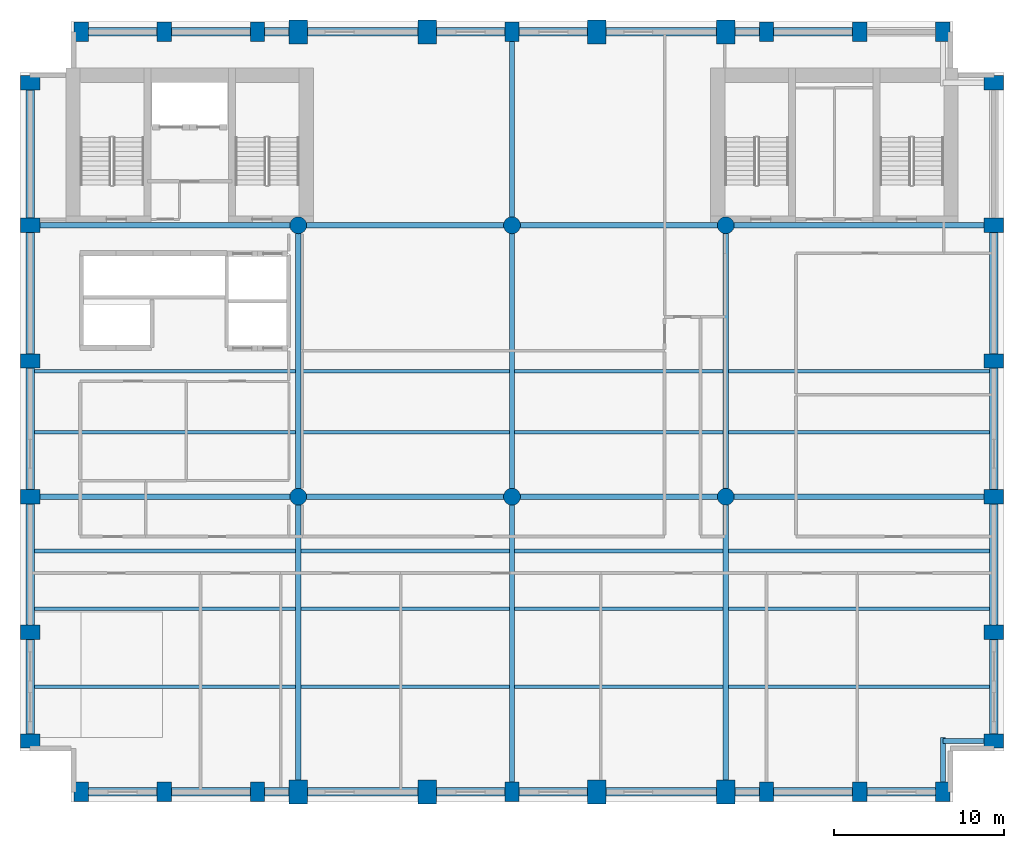
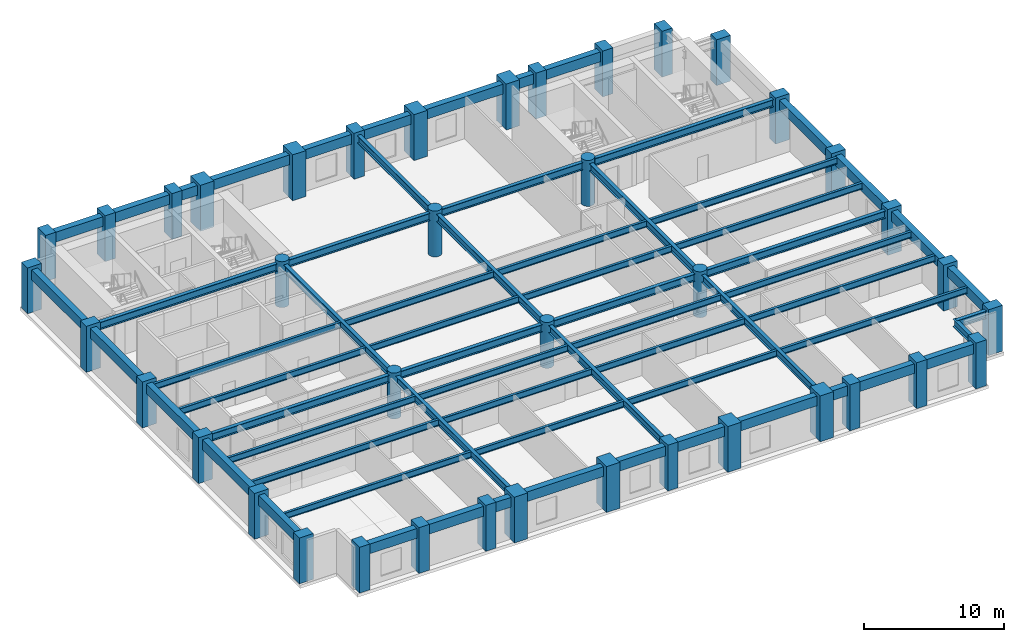
# One storey, part 1 of 9: 65 beams, 40 columns.
"""IFC4 building model written with IfcOpenShell, lengths in metres."""

import ifcopenshell
import ifcopenshell.guid

model = None  # the IFC model being written
_history = None  # IfcOwnerHistory: only IFC2X3 demands one
_inside = {}  # id of a spatial element -> (the spatial element, [elements in it])
_under = {}  # id of a project, library or spatial element -> (it, [spatial elements below it])
_declared = {}  # id of a project -> (the project, [libraries it declares])
_typed = {}  # id of a type object -> (the type object, [elements of that type])
_made_of = {}  # id of a material, layer set ... -> (it, [elements and type objects made of it])


def new_model(schema):
    """Start an empty IFC model of exactly this schema.

    Asked for "IFC4X3", IfcOpenShell would pick the latest addendum, in which some entities
    have other attributes; the version numbers below select the first issue.
    IFC2X3 requires an IfcOwnerHistory on every rooted entity: one is made here for all.
    """
    global model, _history
    if schema == "IFC4X3":
        model = ifcopenshell.file(schema_version=(4, 3, 0, 0))
    else:
        model = ifcopenshell.file(schema=schema)
    _inside.clear()
    _under.clear()
    _declared.clear()
    _typed.clear()
    _made_of.clear()
    _history = None
    if model.schema == "IFC2X3":
        org = make("IfcOrganization", Name="unknown")
        user = make(
            "IfcPersonAndOrganization",
            ThePerson=make("IfcPerson", FamilyName="unknown"),
            TheOrganization=org,
        )
        app = make(
            "IfcApplication",
            ApplicationDeveloper=org,
            Version="unknown",
            ApplicationFullName="unknown",
            ApplicationIdentifier="unknown",
        )
        _history = make(
            "IfcOwnerHistory",
            OwningUser=user,
            OwningApplication=app,
            ChangeAction="ADDED",
            CreationDate=0,
        )
    return model


def make(cls, **values):
    """One entity of the class cls with the attributes given. An attribute that is None is left unset."""
    return model.create_entity(
        cls, **{name: value for name, value in values.items() if value is not None}
    )


def rooted(cls, **values):
    """An entity with a GlobalId (a new one), such as an element, a storey or a relation."""
    return make(cls, GlobalId=ifcopenshell.guid.new(), OwnerHistory=_history, **values)


def si_unit(unit_type, name, prefix=None):
    """IfcSIUnit, for example si_unit("LENGTHUNIT", "METRE", prefix="MILLI")."""
    return make("IfcSIUnit", UnitType=unit_type, Prefix=prefix, Name=name)


def assignment(units):
    """IfcUnitAssignment: the units of a project."""
    return None if units is None else make("IfcUnitAssignment", Units=units)


def point(xyz):
    """IfcCartesianPoint."""
    return None if xyz is None else make("IfcCartesianPoint", Coordinates=xyz)


def direction(xyz):
    """IfcDirection."""
    return None if xyz is None else make("IfcDirection", DirectionRatios=xyz)


def frame(location, z_axis=None, x_axis=None):
    """IfcAxis2Placement3D, a coordinate frame: its origin and axes. An axis left out is left unset."""
    return make(
        "IfcAxis2Placement3D",
        Location=point(location),
        Axis=direction(z_axis),
        RefDirection=direction(x_axis),
    )


def frame_2d(location, x_axis=None):
    """IfcAxis2Placement2D, a coordinate frame in the plane: its origin and x axis."""
    return make(
        "IfcAxis2Placement2D", Location=point(location), RefDirection=direction(x_axis)
    )


def origin():
    """The frame at (0, 0, 0) with its axes left unset."""
    return frame((0.0, 0.0, 0.0))


def origin_2d():
    """The frame at (0, 0) in the plane with its x axis left unset."""
    return frame_2d((0.0, 0.0))


def place(relative_to, where):
    """IfcLocalPlacement: puts the frame where relative to a parent placement (None: the world)."""
    return make(
        "IfcLocalPlacement", PlacementRelTo=relative_to, RelativePlacement=where
    )


def context(
    kind, dimensions, precision=None, world=None, true_north=None, identifier=None
):
    """IfcGeometricRepresentationContext, for example the 3D "Model" context."""
    return make(
        "IfcGeometricRepresentationContext",
        ContextIdentifier=identifier,
        ContextType=kind,
        CoordinateSpaceDimension=dimensions,
        Precision=precision,
        WorldCoordinateSystem=world,
        TrueNorth=true_north,
    )


def subcontext(parent, identifier, kind, view, scale=None):
    """IfcGeometricRepresentationSubContext, for example "Body" below "Model"."""
    return make(
        "IfcGeometricRepresentationSubContext",
        ContextIdentifier=identifier,
        ContextType=kind,
        ParentContext=parent,
        TargetScale=scale,
        TargetView=view,
    )


def project(units=None, contexts=None):
    """IfcProject with its units and contexts."""
    return rooted(
        "IfcProject",
        Name="project",
        RepresentationContexts=contexts,
        UnitsInContext=assignment(units),
    )


def spatial(cls, under=None, at=None, **own):
    """A site, building, storey or space (cls), placed at a placement, below another one or the project."""
    s = rooted(cls, ObjectPlacement=at, **own)
    if under is not None:
        _under.setdefault(under.id(), (under, []))[1].append(s)
    return s


def profile(cls, at=None, kind="AREA", **sizes):
    """A parametric profile (cls). Its sizes go by their IFC names, for example OverallWidth=200.0."""
    return make(cls, ProfileType=kind, Position=at, **sizes)


def rectangle(**sizes):
    """IfcRectangleProfileDef."""
    return profile("IfcRectangleProfileDef", **sizes)


def circle(**sizes):
    """IfcCircleProfileDef."""
    return profile("IfcCircleProfileDef", **sizes)


def i_section(**sizes):
    """IfcIShapeProfileDef."""
    return profile("IfcIShapeProfileDef", **sizes)


def extrude(swept, where, along, depth):
    """IfcExtrudedAreaSolid: the profile swept, set in the frame where, extruded along a direction by depth."""
    return make(
        "IfcExtrudedAreaSolid",
        SweptArea=swept,
        Position=where,
        ExtrudedDirection=direction(along),
        Depth=depth,
    )


def shape(context_of_items, identifier, shape_type, items):
    """IfcShapeRepresentation: the items that make up one representation, for example the "Body"."""
    return make(
        "IfcShapeRepresentation",
        ContextOfItems=context_of_items,
        RepresentationIdentifier=identifier,
        RepresentationType=shape_type,
        Items=items,
    )


def material(Name=None, Category=None):
    """IfcMaterial."""
    return make("IfcMaterial", Name=Name, Category=Category)


def material_profile(
    of_material, cross_section, Name=None, Category=None, Priority=None
):
    """IfcMaterialProfile: a cross section and its material."""
    return make(
        "IfcMaterialProfile",
        Name=Name,
        Material=of_material,
        Profile=cross_section,
        Priority=Priority,
        Category=Category,
    )


def profile_set(profiles, Name=None, composite=None):
    """IfcMaterialProfileSet."""
    return make(
        "IfcMaterialProfileSet",
        Name=Name,
        MaterialProfiles=profiles,
        CompositeProfile=composite,
    )


def made_of(thing, what):
    """Note that an element or type object is made of a material, layer set ...; save() writes the relation."""
    if what is not None:
        _made_of.setdefault(what.id(), (what, []))[1].append(thing)
    return thing


def type_object(cls, material=None, **own):
    """A type object (cls), such as IfcWallType, which elements share."""
    return made_of(rooted(cls, **own), material)


def element(
    cls,
    number,
    at=None,
    inside=None,
    cuts=None,
    type_object=None,
    material=None,
    context=None,
    identifier="Body",
    shape_type=None,
    held_by="IfcProductDefinitionShape",
    body=None,
    shapes=None,
    **own,
):
    """One element of the class cls, such as IfcWall. Its Tag is "e" and its number.

    at: its placement. inside: the storey or other place that contains it. cuts: it is an
    opening in that element (IfcRelVoidsElement). A single representation is given by context,
    identifier, shape_type and body (its items); several are given by shapes. held_by: the class
    of the entity that holds the representations. save() writes the other relations.
    """
    e = rooted(cls, Tag="e%d" % number, ObjectPlacement=at, **own)
    if body is not None:
        shapes = [shape(context, identifier, shape_type, body)]
    if shapes is not None:
        e.Representation = make(held_by, Representations=shapes)
    if inside is not None:
        _inside.setdefault(inside.id(), (inside, []))[1].append(e)
    if cuts is not None:
        rooted(
            "IfcRelVoidsElement", RelatingBuildingElement=cuts, RelatedOpeningElement=e
        )
    if type_object is not None:
        _typed.setdefault(type_object.id(), (type_object, []))[1].append(e)
    return made_of(e, material)


def aggregate(whole, parts):
    """IfcRelAggregates: a whole, such as a stair, and the parts it consists of."""
    return rooted("IfcRelAggregates", RelatingObject=whole, RelatedObjects=parts)


def save(model, path):
    """Write the relations noted so far, then the file.

    IfcRelAggregates (storeys below a building ...), IfcRelContainedInSpatialStructure (elements
    in a storey), IfcRelDefinesByType, IfcRelAssociatesMaterial and IfcRelDeclares: one each for
    every whole, place, type object, material and project.
    """
    for whole, parts in _under.values():
        aggregate(whole, parts)
    for where, things in _inside.values():
        rooted(
            "IfcRelContainedInSpatialStructure",
            RelatedElements=things,
            RelatingStructure=where,
        )
    for kind, things in _typed.values():
        rooted("IfcRelDefinesByType", RelatedObjects=things, RelatingType=kind)
    for what, things in _made_of.values():
        rooted("IfcRelAssociatesMaterial", RelatedObjects=things, RelatingMaterial=what)
    for by, libraries in _declared.values():
        rooted("IfcRelDeclares", RelatingContext=by, RelatedDefinitions=libraries)
    model.write(path)


model = new_model("IFC4")

# Units and contexts
model_context = context("Model", 3, precision=1e-05, world=origin(), true_north=direction((0.0, 1.0)))
body_context = subcontext(model_context, "Body", "Model", "MODEL_VIEW")
ifc_project = project(units=[si_unit("LENGTHUNIT", "METRE"), si_unit("AREAUNIT", "SQUARE_METRE"), si_unit("VOLUMEUNIT", "CUBIC_METRE"), si_unit("PLANEANGLEUNIT", "RADIAN"), si_unit("MASSUNIT", "GRAM", prefix="KILO")], contexts=[model_context])

# Site, building, storey
site_placement = place(None, origin())
site = spatial("IfcSite", under=ifc_project, at=site_placement, CompositionType="ELEMENT")
building_placement = place(site_placement, origin())
building = spatial("IfcBuilding", under=site, at=building_placement, Name="Sulina Concourse Tower", CompositionType="ELEMENT")
storey_placement = place(building_placement, frame((0.0, 0.0, 120.60009765625)))
storey = spatial("IfcBuildingStorey", under=building, at=storey_placement, Name="L29", CompositionType="ELEMENT", Elevation=120.60009765625)

# Columns
ifc_material_1 = material(Name="Concrete C60/75", Category="concrete")
ifc_material_profile_1 = material_profile(ifc_material_1, circle(Radius=0.5, at=origin_2d()), Name="RC D1000")
ifc_profile_set_1 = profile_set([ifc_material_profile_1], Name="Concrete C60/75")
column_type_1 = type_object("IfcColumnType", Name="Lower Interior Circular Column D1000", PredefinedType="COLUMN", material=ifc_profile_set_1)
for number, where, z_axis, x_axis, name in (
    (1, (16.39990234375, 18.0, 0.0), (0.0, 0.0, 1.0), (1.0, 0.0, 0.0), "L29 structural column IC-M-164"),
    (2, (16.39990234375, 34.0, 0.0), (0.0, 0.0, 1.0), (1.0, 0.0, 0.0), "L29 structural column IC-N-164"),
    (3, (29.0, 18.0, 0.0), (0.0, 0.0, 1.0), (1.0, 0.0, 0.0), "L29 structural column IC-M-290"),
    (4, (29.0, 34.0, 0.0), (0.0, 0.0, 1.0), (1.0, 0.0, 0.0), "L29 structural column IC-N-290"),
    (5, (41.60009765625, 18.0, 0.0), (0.0, 0.0, 1.0), (1.0, 0.0, 0.0), "L29 structural column IC-M-416"),
    (6, (41.60009765625, 34.0, 0.0), (0.0, 0.0, 1.0), (1.0, 0.0, 0.0), "L29 structural column IC-N-416"),
):
    element("IfcColumn", number, at=place(storey_placement, frame(where, z_axis=z_axis, x_axis=x_axis)), inside=storey, type_object=column_type_1, Name=name, PredefinedType="COLUMN", context=body_context, shape_type="SweptSolid", body=[
        extrude(circle(Radius=0.5, at=origin_2d()), origin(), (0.0, 0.0, 1.0), 4.0),
    ])
ifc_material_2 = material(Name="Concrete C60/75", Category="concrete")
ifc_material_profile_2 = material_profile(ifc_material_2, rectangle(XDim=1.10009765625, YDim=1.39990234375, at=origin_2d()), Name="RC 1100x1400")
ifc_profile_set_2 = profile_set([ifc_material_profile_2], Name="Concrete C60/75")
column_type_2 = type_object("IfcColumnType", Name="Mid-Rise Portal Column 1100x1400", PredefinedType="COLUMN", material=ifc_profile_set_2)
for number, where, z_axis, x_axis, name in (
    (7, (16.39990234375, 0.60009765625, 0.0), (0.0, 0.0, 1.0), (1.0, 0.0, 0.0), "L29 structural column TP-S-164"),
    (8, (16.39990234375, 45.39990234375, 0.0), (0.0, 0.0, 1.0), (1.0, 0.0, 0.0), "L29 structural column TP-N-164"),
    (9, (24.0, 0.60009765625, 0.0), (0.0, 0.0, 1.0), (1.0, 0.0, 0.0), "L29 structural column TP-S-240"),
    (10, (24.0, 45.39990234375, 0.0), (0.0, 0.0, 1.0), (1.0, 0.0, 0.0), "L29 structural column TP-N-240"),
    (11, (34.0, 0.60009765625, 0.0), (0.0, 0.0, 1.0), (1.0, 0.0, 0.0), "L29 structural column TP-S-340"),
    (12, (34.0, 45.39990234375, 0.0), (0.0, 0.0, 1.0), (1.0, 0.0, 0.0), "L29 structural column TP-N-340"),
    (13, (41.60009765625, 0.60009765625, 0.0), (0.0, 0.0, 1.0), (1.0, 0.0, 0.0), "L29 structural column TP-S-416"),
    (14, (41.60009765625, 45.39990234375, 0.0), (0.0, 0.0, 1.0), (1.0, 0.0, 0.0), "L29 structural column TP-N-416"),
):
    element("IfcColumn", number, at=place(storey_placement, frame(where, z_axis=z_axis, x_axis=x_axis)), inside=storey, type_object=column_type_2, Name=name, PredefinedType="COLUMN", context=body_context, shape_type="SweptSolid", body=[
        extrude(rectangle(XDim=1.10009765625, YDim=1.39990234375, at=origin_2d()), origin(), (0.0, 0.0, 1.0), 4.0),
    ])
ifc_material_3 = material(Name="Precast concrete C60/75", Category="concrete")
ifc_material_profile_3 = material_profile(ifc_material_3, rectangle(XDim=0.85009765625, YDim=1.14990234375, at=origin_2d()), Name="PC 850x1150")
ifc_profile_set_3 = profile_set([ifc_material_profile_3], Name="Precast concrete C60/75")
column_type_3 = type_object("IfcColumnType", Name="Precast Tube Pier Zone 2 850x1150", PredefinedType="COLUMN", material=ifc_profile_set_3)
for number, where, z_axis, x_axis, name in (
    (15, (3.60009765625, 0.60009765625, 0.0), (0.0, 0.0, 1.0), (1.0, 0.0, 0.0), "L29 structural column TP-S-36"),
    (16, (3.60009765625, 45.39990234375, 0.0), (0.0, 0.0, 1.0), (1.0, 0.0, 0.0), "L29 structural column TP-N-36"),
    (17, (8.5, 0.60009765625, 0.0), (0.0, 0.0, 1.0), (1.0, 0.0, 0.0), "L29 structural column TP-S-85"),
    (18, (8.5, 45.39990234375, 0.0), (0.0, 0.0, 1.0), (1.0, 0.0, 0.0), "L29 structural column TP-N-85"),
    (19, (14.0, 0.60009765625, 0.0), (0.0, 0.0, 1.0), (1.0, 0.0, 0.0), "L29 structural column TP-S-140"),
    (20, (14.0, 45.39990234375, 0.0), (0.0, 0.0, 1.0), (1.0, 0.0, 0.0), "L29 structural column TP-N-140"),
    (21, (29.0, 0.60009765625, 0.0), (0.0, 0.0, 1.0), (1.0, 0.0, 0.0), "L29 structural column TP-S-290"),
    (22, (29.0, 45.39990234375, 0.0), (0.0, 0.0, 1.0), (1.0, 0.0, 0.0), "L29 structural column TP-N-290"),
    (23, (44.0, 0.60009765625, 0.0), (0.0, 0.0, 1.0), (1.0, 0.0, 0.0), "L29 structural column TP-S-440"),
    (24, (44.0, 45.39990234375, 0.0), (0.0, 0.0, 1.0), (1.0, 0.0, 0.0), "L29 structural column TP-N-440"),
    (25, (49.5, 0.60009765625, 0.0), (0.0, 0.0, 1.0), (1.0, 0.0, 0.0), "L29 structural column TP-S-495"),
    (26, (49.5, 45.39990234375, 0.0), (0.0, 0.0, 1.0), (1.0, 0.0, 0.0), "L29 structural column TP-N-495"),
    (27, (54.39990234375, 0.60009765625, 0.0), (0.0, 0.0, 1.0), (1.0, 0.0, 0.0), "L29 structural column TP-S-544"),
    (28, (54.39990234375, 45.39990234375, 0.0), (0.0, 0.0, 1.0), (1.0, 0.0, 0.0), "L29 structural column TP-N-544"),
    (29, (0.60009765625, 3.60009765625, 0.0), (0.0, 0.0, 1.0), (0.0, 1.0, 0.0), "L29 structural column TP-W-36"),
    (30, (57.39990234375, 3.60009765625, 0.0), (0.0, 0.0, 1.0), (0.0, 1.0, 0.0), "L29 structural column TP-E-36"),
    (31, (0.60009765625, 10.0, 0.0), (0.0, 0.0, 1.0), (0.0, 1.0, 0.0), "L29 structural column TP-W-100"),
    (32, (57.39990234375, 10.0, 0.0), (0.0, 0.0, 1.0), (0.0, 1.0, 0.0), "L29 structural column TP-E-100"),
    (33, (0.60009765625, 18.0, 0.0), (0.0, 0.0, 1.0), (0.0, 1.0, 0.0), "L29 structural column TP-W-180"),
    (34, (57.39990234375, 18.0, 0.0), (0.0, 0.0, 1.0), (0.0, 1.0, 0.0), "L29 structural column TP-E-180"),
    (35, (0.60009765625, 26.0, 0.0), (0.0, 0.0, 1.0), (0.0, 1.0, 0.0), "L29 structural column TP-W-260"),
    (36, (57.39990234375, 26.0, 0.0), (0.0, 0.0, 1.0), (0.0, 1.0, 0.0), "L29 structural column TP-E-260"),
    (37, (0.60009765625, 34.0, 0.0), (0.0, 0.0, 1.0), (0.0, 1.0, 0.0), "L29 structural column TP-W-340"),
    (38, (57.39990234375, 34.0, 0.0), (0.0, 0.0, 1.0), (0.0, 1.0, 0.0), "L29 structural column TP-E-340"),
    (39, (0.60009765625, 42.39990234375, 0.0), (0.0, 0.0, 1.0), (0.0, 1.0, 0.0), "L29 structural column TP-W-424"),
    (40, (57.39990234375, 42.39990234375, 0.0), (0.0, 0.0, 1.0), (0.0, 1.0, 0.0), "L29 structural column TP-E-424"),
):
    element("IfcColumn", number, at=place(storey_placement, frame(where, z_axis=z_axis, x_axis=x_axis)), inside=storey, type_object=column_type_3, Name=name, PredefinedType="COLUMN", context=body_context, shape_type="SweptSolid", body=[
        extrude(rectangle(XDim=0.85009765625, YDim=1.14990234375, at=origin_2d()), origin(), (0.0, 0.0, 1.0), 4.0),
    ])

# Beams
ifc_material_4 = material(Name="Steel S355", Category="steel")
ifc_material_profile_4 = material_profile(ifc_material_4, i_section(OverallWidth=0.2099609375, OverallDepth=0.550048828125, WebThickness=0.010986328125, FlangeThickness=0.01708984375, at=origin_2d()), Name="IPE 550")
ifc_profile_set_4 = profile_set([ifc_material_profile_4], Name="Steel S355")
beam_type_1 = type_object("IfcBeamType", Name="Composite Floor Joist IPE550", PredefinedType="JOIST", material=ifc_profile_set_4)
beam_1_placement = place(storey_placement, frame((0.85009765625, 6.800048828125, 3.449951171875), z_axis=(1.0, 0.0, 0.0), x_axis=(0.0, 1.0, 0.0)))
element("IfcBeam", 41, at=beam_1_placement, inside=storey, type_object=beam_type_1, Name="FJ-J06-1-L29", PredefinedType="JOIST", context=body_context, shape_type="SweptSolid", body=[
    extrude(i_section(OverallWidth=0.2099609375, OverallDepth=0.550048828125, WebThickness=0.010986328125, FlangeThickness=0.01708984375, at=origin_2d()), origin(), (0.0, 0.0, 1.0), 15.39990234375),
])
for number, where, z_axis, x_axis, name in (
    (42, (16.550048828125, 6.800048828125, 3.449951171875), (1.0, 0.0, 0.0), (0.0, 1.0, 0.0), "FJ-J06-2-L29"),
    (43, (29.14990234375, 6.800048828125, 3.449951171875), (1.0, 0.0, 0.0), (0.0, 1.0, 0.0), "FJ-J06-3-L29"),
):
    element("IfcBeam", number, at=place(storey_placement, frame(where, z_axis=z_axis, x_axis=x_axis)), inside=storey, type_object=beam_type_1, Name=name, PredefinedType="JOIST", context=body_context, shape_type="SweptSolid", body=[
        extrude(i_section(OverallWidth=0.2099609375, OverallDepth=0.550048828125, WebThickness=0.010986328125, FlangeThickness=0.01708984375, at=origin_2d()), origin(), (0.0, 0.0, 1.0), 12.300048828125),
    ])
for number, where, z_axis, x_axis, name in (
    (44, (41.75, 6.800048828125, 3.449951171875), (1.0, 0.0, 0.0), (0.0, 1.0, 0.0), "FJ-J06-4-L29"),
    (45, (0.85009765625, 11.39990234375, 3.449951171875), (1.0, 0.0, 0.0), (0.0, 1.0, 0.0), "FJ-J11-1-L29"),
):
    element("IfcBeam", number, at=place(storey_placement, frame(where, z_axis=z_axis, x_axis=x_axis)), inside=storey, type_object=beam_type_1, Name=name, PredefinedType="JOIST", context=body_context, shape_type="SweptSolid", body=[
        extrude(i_section(OverallWidth=0.2099609375, OverallDepth=0.550048828125, WebThickness=0.010986328125, FlangeThickness=0.01708984375, at=origin_2d()), origin(), (0.0, 0.0, 1.0), 15.39990234375),
    ])
for number, where, z_axis, x_axis, name in (
    (46, (16.550048828125, 11.39990234375, 3.449951171875), (1.0, 0.0, 0.0), (0.0, 1.0, 0.0), "FJ-J11-2-L29"),
    (47, (29.14990234375, 11.39990234375, 3.449951171875), (1.0, 0.0, 0.0), (0.0, 1.0, 0.0), "FJ-J11-3-L29"),
):
    element("IfcBeam", number, at=place(storey_placement, frame(where, z_axis=z_axis, x_axis=x_axis)), inside=storey, type_object=beam_type_1, Name=name, PredefinedType="JOIST", context=body_context, shape_type="SweptSolid", body=[
        extrude(i_section(OverallWidth=0.2099609375, OverallDepth=0.550048828125, WebThickness=0.010986328125, FlangeThickness=0.01708984375, at=origin_2d()), origin(), (0.0, 0.0, 1.0), 12.300048828125),
    ])
for number, where, z_axis, x_axis, name in (
    (48, (41.75, 11.39990234375, 3.449951171875), (1.0, 0.0, 0.0), (0.0, 1.0, 0.0), "FJ-J11-4-L29"),
    (49, (0.85009765625, 14.800048828125, 3.449951171875), (1.0, 0.0, 0.0), (0.0, 1.0, 0.0), "FJ-J15-1-L29"),
):
    element("IfcBeam", number, at=place(storey_placement, frame(where, z_axis=z_axis, x_axis=x_axis)), inside=storey, type_object=beam_type_1, Name=name, PredefinedType="JOIST", context=body_context, shape_type="SweptSolid", body=[
        extrude(i_section(OverallWidth=0.2099609375, OverallDepth=0.550048828125, WebThickness=0.010986328125, FlangeThickness=0.01708984375, at=origin_2d()), origin(), (0.0, 0.0, 1.0), 15.39990234375),
    ])
for number, where, z_axis, x_axis, name in (
    (50, (16.550048828125, 14.800048828125, 3.449951171875), (1.0, 0.0, 0.0), (0.0, 1.0, 0.0), "FJ-J15-2-L29"),
    (51, (29.14990234375, 14.800048828125, 3.449951171875), (1.0, 0.0, 0.0), (0.0, 1.0, 0.0), "FJ-J15-3-L29"),
):
    element("IfcBeam", number, at=place(storey_placement, frame(where, z_axis=z_axis, x_axis=x_axis)), inside=storey, type_object=beam_type_1, Name=name, PredefinedType="JOIST", context=body_context, shape_type="SweptSolid", body=[
        extrude(i_section(OverallWidth=0.2099609375, OverallDepth=0.550048828125, WebThickness=0.010986328125, FlangeThickness=0.01708984375, at=origin_2d()), origin(), (0.0, 0.0, 1.0), 12.300048828125),
    ])
for number, where, z_axis, x_axis, name in (
    (52, (41.75, 14.800048828125, 3.449951171875), (1.0, 0.0, 0.0), (0.0, 1.0, 0.0), "FJ-J15-4-L29"),
    (53, (0.85009765625, 21.800048828125, 3.449951171875), (1.0, 0.0, 0.0), (0.0, 1.0, 0.0), "FJ-J22-1-L29"),
):
    element("IfcBeam", number, at=place(storey_placement, frame(where, z_axis=z_axis, x_axis=x_axis)), inside=storey, type_object=beam_type_1, Name=name, PredefinedType="JOIST", context=body_context, shape_type="SweptSolid", body=[
        extrude(i_section(OverallWidth=0.2099609375, OverallDepth=0.550048828125, WebThickness=0.010986328125, FlangeThickness=0.01708984375, at=origin_2d()), origin(), (0.0, 0.0, 1.0), 15.39990234375),
    ])
for number, where, z_axis, x_axis, name in (
    (54, (16.550048828125, 21.800048828125, 3.449951171875), (1.0, 0.0, 0.0), (0.0, 1.0, 0.0), "FJ-J22-2-L29"),
    (55, (29.14990234375, 21.800048828125, 3.449951171875), (1.0, 0.0, 0.0), (0.0, 1.0, 0.0), "FJ-J22-3-L29"),
):
    element("IfcBeam", number, at=place(storey_placement, frame(where, z_axis=z_axis, x_axis=x_axis)), inside=storey, type_object=beam_type_1, Name=name, PredefinedType="JOIST", context=body_context, shape_type="SweptSolid", body=[
        extrude(i_section(OverallWidth=0.2099609375, OverallDepth=0.550048828125, WebThickness=0.010986328125, FlangeThickness=0.01708984375, at=origin_2d()), origin(), (0.0, 0.0, 1.0), 12.300048828125),
    ])
for number, where, z_axis, x_axis, name in (
    (56, (41.75, 21.800048828125, 3.449951171875), (1.0, 0.0, 0.0), (0.0, 1.0, 0.0), "FJ-J22-4-L29"),
    (57, (0.85009765625, 25.39990234375, 3.449951171875), (1.0, 0.0, 0.0), (0.0, 1.0, 0.0), "FJ-J25-1-L29"),
):
    element("IfcBeam", number, at=place(storey_placement, frame(where, z_axis=z_axis, x_axis=x_axis)), inside=storey, type_object=beam_type_1, Name=name, PredefinedType="JOIST", context=body_context, shape_type="SweptSolid", body=[
        extrude(i_section(OverallWidth=0.2099609375, OverallDepth=0.550048828125, WebThickness=0.010986328125, FlangeThickness=0.01708984375, at=origin_2d()), origin(), (0.0, 0.0, 1.0), 15.39990234375),
    ])
for number, where, z_axis, x_axis, name in (
    (58, (16.550048828125, 25.39990234375, 3.449951171875), (1.0, 0.0, 0.0), (0.0, 1.0, 0.0), "FJ-J25-2-L29"),
    (59, (29.14990234375, 25.39990234375, 3.449951171875), (1.0, 0.0, 0.0), (0.0, 1.0, 0.0), "FJ-J25-3-L29"),
):
    element("IfcBeam", number, at=place(storey_placement, frame(where, z_axis=z_axis, x_axis=x_axis)), inside=storey, type_object=beam_type_1, Name=name, PredefinedType="JOIST", context=body_context, shape_type="SweptSolid", body=[
        extrude(i_section(OverallWidth=0.2099609375, OverallDepth=0.550048828125, WebThickness=0.010986328125, FlangeThickness=0.01708984375, at=origin_2d()), origin(), (0.0, 0.0, 1.0), 12.300048828125),
    ])
beam_2_placement = place(storey_placement, frame((41.75, 25.39990234375, 3.449951171875), z_axis=(1.0, 0.0, 0.0), x_axis=(0.0, 1.0, 0.0)))
element("IfcBeam", 60, at=beam_2_placement, inside=storey, type_object=beam_type_1, Name="FJ-J25-4-L29", PredefinedType="JOIST", context=body_context, shape_type="SweptSolid", body=[
    extrude(i_section(OverallWidth=0.2099609375, OverallDepth=0.550048828125, WebThickness=0.010986328125, FlangeThickness=0.01708984375, at=origin_2d()), origin(), (0.0, 0.0, 1.0), 15.39990234375),
])
ifc_material_5 = material(Name="Steel S355", Category="steel")
ifc_material_profile_5 = material_profile(ifc_material_5, i_section(OverallWidth=0.300048828125, OverallDepth=0.64990234375, WebThickness=0.01611328125, FlangeThickness=0.031005859375, at=origin_2d()), Name="HE 650 B")
ifc_profile_set_5 = profile_set([ifc_material_profile_5], Name="Steel S355")
beam_type_2 = type_object("IfcBeamType", Name="Floor Primary Girder Zone 2 HE650B", PredefinedType="BEAM", material=ifc_profile_set_5)
beam_3_placement = place(storey_placement, frame((54.39990234375, 3.60009765625, 3.39990234375), z_axis=(1.0, 0.0, 0.0), x_axis=(0.0, 1.0, 0.0)))
element("IfcBeam", 61, at=beam_3_placement, inside=storey, type_object=beam_type_2, Name="TIE-SE-L29", PredefinedType="BEAM", context=body_context, shape_type="SweptSolid", body=[
    extrude(i_section(OverallWidth=0.300048828125, OverallDepth=0.64990234375, WebThickness=0.01611328125, FlangeThickness=0.031005859375, at=origin_2d()), origin(), (0.0, 0.0, 1.0), 2.59521484375),
])
beam_4_placement = place(storey_placement, frame((54.39990234375, 1.0048828125, 3.39990234375), z_axis=(0.0, 1.0, 0.0), x_axis=(-1.0, 0.0, 0.0)))
element("IfcBeam", 62, at=beam_4_placement, inside=storey, type_object=beam_type_2, Name="TIE-SES-L29", PredefinedType="BEAM", context=body_context, shape_type="SweptSolid", body=[
    extrude(i_section(OverallWidth=0.300048828125, OverallDepth=0.64990234375, WebThickness=0.01611328125, FlangeThickness=0.031005859375, at=origin_2d()), origin(), (0.0, 0.0, 1.0), 2.795166015625),
])
beam_5_placement = place(storey_placement, frame((1.0048828125, 18.0, 3.39990234375), z_axis=(1.0, 0.0, 0.0), x_axis=(0.0, 1.0, 0.0)))
element("IfcBeam", 63, at=beam_5_placement, inside=storey, type_object=beam_type_2, Name="FG-EW1-L29", PredefinedType="BEAM", context=body_context, shape_type="SweptSolid", body=[
    extrude(i_section(OverallWidth=0.300048828125, OverallDepth=0.64990234375, WebThickness=0.01611328125, FlangeThickness=0.031005859375, at=origin_2d()), origin(), (0.0, 0.0, 1.0), 14.9150390625),
])
for number, where, z_axis, x_axis, name in (
    (64, (16.8798828125, 18.0, 3.39990234375), (1.0, 0.0, 0.0), (0.0, 1.0, 0.0), "FG-EW2-L29"),
    (65, (29.47998046875, 18.0, 3.39990234375), (1.0, 0.0, 0.0), (0.0, 1.0, 0.0), "FG-EW3-L29"),
):
    element("IfcBeam", number, at=place(storey_placement, frame(where, z_axis=z_axis, x_axis=x_axis)), inside=storey, type_object=beam_type_2, Name=name, PredefinedType="BEAM", context=body_context, shape_type="SweptSolid", body=[
        extrude(i_section(OverallWidth=0.300048828125, OverallDepth=0.64990234375, WebThickness=0.01611328125, FlangeThickness=0.031005859375, at=origin_2d()), origin(), (0.0, 0.0, 1.0), 11.64013671875),
    ])
for number, where, z_axis, x_axis, name in (
    (66, (42.080078125, 18.0, 3.39990234375), (1.0, 0.0, 0.0), (0.0, 1.0, 0.0), "FG-EW4-L29"),
    (67, (1.0048828125, 34.0, 3.39990234375), (1.0, 0.0, 0.0), (0.0, 1.0, 0.0), "FG-EWN1-L29"),
):
    element("IfcBeam", number, at=place(storey_placement, frame(where, z_axis=z_axis, x_axis=x_axis)), inside=storey, type_object=beam_type_2, Name=name, PredefinedType="BEAM", context=body_context, shape_type="SweptSolid", body=[
        extrude(i_section(OverallWidth=0.300048828125, OverallDepth=0.64990234375, WebThickness=0.01611328125, FlangeThickness=0.031005859375, at=origin_2d()), origin(), (0.0, 0.0, 1.0), 14.9150390625),
    ])
for number, where, z_axis, x_axis, name in (
    (68, (16.8798828125, 34.0, 3.39990234375), (1.0, 0.0, 0.0), (0.0, 1.0, 0.0), "FG-EWN2-L29"),
    (69, (29.47998046875, 34.0, 3.39990234375), (1.0, 0.0, 0.0), (0.0, 1.0, 0.0), "FG-EWN3-L29"),
):
    element("IfcBeam", number, at=place(storey_placement, frame(where, z_axis=z_axis, x_axis=x_axis)), inside=storey, type_object=beam_type_2, Name=name, PredefinedType="BEAM", context=body_context, shape_type="SweptSolid", body=[
        extrude(i_section(OverallWidth=0.300048828125, OverallDepth=0.64990234375, WebThickness=0.01611328125, FlangeThickness=0.031005859375, at=origin_2d()), origin(), (0.0, 0.0, 1.0), 11.64013671875),
    ])
beam_6_placement = place(storey_placement, frame((42.080078125, 34.0, 3.39990234375), z_axis=(1.0, 0.0, 0.0), x_axis=(0.0, 1.0, 0.0)))
element("IfcBeam", 70, at=beam_6_placement, inside=storey, type_object=beam_type_2, Name="FG-EWN4-L29", PredefinedType="BEAM", context=body_context, shape_type="SweptSolid", body=[
    extrude(i_section(OverallWidth=0.300048828125, OverallDepth=0.64990234375, WebThickness=0.01611328125, FlangeThickness=0.031005859375, at=origin_2d()), origin(), (0.0, 0.0, 1.0), 14.9150390625),
])
beam_7_placement = place(storey_placement, frame((16.39990234375, 1.1298828125, 3.39990234375), z_axis=(0.0, 1.0, 0.0), x_axis=(-1.0, 0.0, 0.0)))
element("IfcBeam", 71, at=beam_7_placement, inside=storey, type_object=beam_type_2, Name="FG-NSA-16-L29", PredefinedType="BEAM", context=body_context, shape_type="SweptSolid", body=[
    extrude(i_section(OverallWidth=0.300048828125, OverallDepth=0.64990234375, WebThickness=0.01611328125, FlangeThickness=0.031005859375, at=origin_2d()), origin(), (0.0, 0.0, 1.0), 16.39013671875),
])
beam_8_placement = place(storey_placement, frame((16.39990234375, 18.47998046875, 3.39990234375), z_axis=(0.0, 1.0, 0.0), x_axis=(-1.0, 0.0, 0.0)))
element("IfcBeam", 72, at=beam_8_placement, inside=storey, type_object=beam_type_2, Name="FG-NSB-16-L29", PredefinedType="BEAM", context=body_context, shape_type="SweptSolid", body=[
    extrude(i_section(OverallWidth=0.300048828125, OverallDepth=0.64990234375, WebThickness=0.01611328125, FlangeThickness=0.031005859375, at=origin_2d()), origin(), (0.0, 0.0, 1.0), 15.0400390625),
])
beam_9_placement = place(storey_placement, frame((29.0, 1.0048828125, 3.39990234375), z_axis=(0.0, 1.0, 0.0), x_axis=(-1.0, 0.0, 0.0)))
element("IfcBeam", 73, at=beam_9_placement, inside=storey, type_object=beam_type_2, Name="FG-NSA-29-L29", PredefinedType="BEAM", context=body_context, shape_type="SweptSolid", body=[
    extrude(i_section(OverallWidth=0.300048828125, OverallDepth=0.64990234375, WebThickness=0.01611328125, FlangeThickness=0.031005859375, at=origin_2d()), origin(), (0.0, 0.0, 1.0), 16.51513671875),
])
beam_10_placement = place(storey_placement, frame((29.0, 18.47998046875, 3.39990234375), z_axis=(0.0, 1.0, 0.0), x_axis=(-1.0, 0.0, 0.0)))
element("IfcBeam", 74, at=beam_10_placement, inside=storey, type_object=beam_type_2, Name="FG-NSB-29-L29", PredefinedType="BEAM", context=body_context, shape_type="SweptSolid", body=[
    extrude(i_section(OverallWidth=0.300048828125, OverallDepth=0.64990234375, WebThickness=0.01611328125, FlangeThickness=0.031005859375, at=origin_2d()), origin(), (0.0, 0.0, 1.0), 15.0400390625),
])
beam_11_placement = place(storey_placement, frame((29.0, 34.47998046875, 3.39990234375), z_axis=(0.0, 1.0, 0.0), x_axis=(-1.0, 0.0, 0.0)))
element("IfcBeam", 75, at=beam_11_placement, inside=storey, type_object=beam_type_2, Name="FG-NSC-29-L29", PredefinedType="BEAM", context=body_context, shape_type="SweptSolid", body=[
    extrude(i_section(OverallWidth=0.300048828125, OverallDepth=0.64990234375, WebThickness=0.01611328125, FlangeThickness=0.031005859375, at=origin_2d()), origin(), (0.0, 0.0, 1.0), 10.51513671875),
])
beam_12_placement = place(storey_placement, frame((41.60009765625, 1.1298828125, 3.39990234375), z_axis=(0.0, 1.0, 0.0), x_axis=(-1.0, 0.0, 0.0)))
element("IfcBeam", 76, at=beam_12_placement, inside=storey, type_object=beam_type_2, Name="FG-NSA-41-L29", PredefinedType="BEAM", context=body_context, shape_type="SweptSolid", body=[
    extrude(i_section(OverallWidth=0.300048828125, OverallDepth=0.64990234375, WebThickness=0.01611328125, FlangeThickness=0.031005859375, at=origin_2d()), origin(), (0.0, 0.0, 1.0), 16.39013671875),
])
beam_13_placement = place(storey_placement, frame((41.60009765625, 18.47998046875, 3.39990234375), z_axis=(0.0, 1.0, 0.0), x_axis=(-1.0, 0.0, 0.0)))
element("IfcBeam", 77, at=beam_13_placement, inside=storey, type_object=beam_type_2, Name="FG-NSB-41-L29", PredefinedType="BEAM", context=body_context, shape_type="SweptSolid", body=[
    extrude(i_section(OverallWidth=0.300048828125, OverallDepth=0.64990234375, WebThickness=0.01611328125, FlangeThickness=0.031005859375, at=origin_2d()), origin(), (0.0, 0.0, 1.0), 15.0400390625),
])
ifc_material_6 = material(Name="Precast concrete C50/60", Category="concrete")
ifc_material_profile_6 = material_profile(ifc_material_6, rectangle(XDim=0.5, YDim=0.85009765625, at=origin_2d()), Name="RC 500x850")
ifc_profile_set_6 = profile_set([ifc_material_profile_6], Name="Precast concrete C50/60")
beam_type_3 = type_object("IfcBeamType", Name="Lower Precast Spandrel Edge Beam 500x850", PredefinedType="BEAM", material=ifc_profile_set_6)
beam_14_placement = place(storey_placement, frame((4.0048828125, 0.60009765625, 3.2998046875), z_axis=(1.0, 0.0, 0.0), x_axis=(0.0, 1.0, 0.0)))
element("IfcBeam", 78, at=beam_14_placement, inside=storey, type_object=beam_type_3, Name="SP-S1-L29", PredefinedType="BEAM", context=body_context, shape_type="SweptSolid", body=[
    extrude(rectangle(XDim=0.5, YDim=0.85009765625, at=origin_2d()), origin(), (0.0, 0.0, 1.0), 4.090087890625),
])
beam_15_placement = place(storey_placement, frame((8.905029296875, 0.60009765625, 3.2998046875), z_axis=(1.0, 0.0, 0.0), x_axis=(0.0, 1.0, 0.0)))
element("IfcBeam", 79, at=beam_15_placement, inside=storey, type_object=beam_type_3, Name="SP-S2-L29", PredefinedType="BEAM", context=body_context, shape_type="SweptSolid", body=[
    extrude(rectangle(XDim=0.5, YDim=0.85009765625, at=origin_2d()), origin(), (0.0, 0.0, 1.0), 4.68994140625),
])
beam_16_placement = place(storey_placement, frame((14.405029296875, 0.60009765625, 3.2998046875), z_axis=(1.0, 0.0, 0.0), x_axis=(0.0, 1.0, 0.0)))
element("IfcBeam", 80, at=beam_16_placement, inside=storey, type_object=beam_type_3, Name="SP-S3-L29", PredefinedType="BEAM", context=body_context, shape_type="SweptSolid", body=[
    extrude(rectangle(XDim=0.5, YDim=0.85009765625, at=origin_2d()), origin(), (0.0, 0.0, 1.0), 1.465087890625),
])
beam_17_placement = place(storey_placement, frame((16.929931640625, 0.60009765625, 3.2998046875), z_axis=(1.0, 0.0, 0.0), x_axis=(0.0, 1.0, 0.0)))
element("IfcBeam", 81, at=beam_17_placement, inside=storey, type_object=beam_type_3, Name="SP-S4-L29", PredefinedType="BEAM", context=body_context, shape_type="SweptSolid", body=[
    extrude(rectangle(XDim=0.5, YDim=0.85009765625, at=origin_2d()), origin(), (0.0, 0.0, 1.0), 6.5400390625),
])
for number, where, z_axis, x_axis, name in (
    (82, (24.530029296875, 0.60009765625, 3.2998046875), (1.0, 0.0, 0.0), (0.0, 1.0, 0.0), "SP-S5-L29"),
    (83, (29.405029296875, 0.60009765625, 3.2998046875), (1.0, 0.0, 0.0), (0.0, 1.0, 0.0), "SP-S6-L29"),
):
    element("IfcBeam", number, at=place(storey_placement, frame(where, z_axis=z_axis, x_axis=x_axis)), inside=storey, type_object=beam_type_3, Name=name, PredefinedType="BEAM", context=body_context, shape_type="SweptSolid", body=[
        extrude(rectangle(XDim=0.5, YDim=0.85009765625, at=origin_2d()), origin(), (0.0, 0.0, 1.0), 4.06494140625),
    ])
beam_18_placement = place(storey_placement, frame((34.530029296875, 0.60009765625, 3.2998046875), z_axis=(1.0, 0.0, 0.0), x_axis=(0.0, 1.0, 0.0)))
element("IfcBeam", 84, at=beam_18_placement, inside=storey, type_object=beam_type_3, Name="SP-S7-L29", PredefinedType="BEAM", context=body_context, shape_type="SweptSolid", body=[
    extrude(rectangle(XDim=0.5, YDim=0.85009765625, at=origin_2d()), origin(), (0.0, 0.0, 1.0), 6.5400390625),
])
beam_19_placement = place(storey_placement, frame((42.1298828125, 0.60009765625, 3.2998046875), z_axis=(1.0, 0.0, 0.0), x_axis=(0.0, 1.0, 0.0)))
element("IfcBeam", 85, at=beam_19_placement, inside=storey, type_object=beam_type_3, Name="SP-S8-L29", PredefinedType="BEAM", context=body_context, shape_type="SweptSolid", body=[
    extrude(rectangle(XDim=0.5, YDim=0.85009765625, at=origin_2d()), origin(), (0.0, 0.0, 1.0), 1.465087890625),
])
beam_20_placement = place(storey_placement, frame((44.405029296875, 0.60009765625, 3.2998046875), z_axis=(1.0, 0.0, 0.0), x_axis=(0.0, 1.0, 0.0)))
element("IfcBeam", 86, at=beam_20_placement, inside=storey, type_object=beam_type_3, Name="SP-S9-L29", PredefinedType="BEAM", context=body_context, shape_type="SweptSolid", body=[
    extrude(rectangle(XDim=0.5, YDim=0.85009765625, at=origin_2d()), origin(), (0.0, 0.0, 1.0), 4.68994140625),
])
for number, where, z_axis, x_axis, name in (
    (87, (49.905029296875, 0.60009765625, 3.2998046875), (1.0, 0.0, 0.0), (0.0, 1.0, 0.0), "SP-S10-L29"),
    (88, (4.0048828125, 45.39990234375, 3.2998046875), (1.0, 0.0, 0.0), (0.0, 1.0, 0.0), "SP-N1-L29"),
):
    element("IfcBeam", number, at=place(storey_placement, frame(where, z_axis=z_axis, x_axis=x_axis)), inside=storey, type_object=beam_type_3, Name=name, PredefinedType="BEAM", context=body_context, shape_type="SweptSolid", body=[
        extrude(rectangle(XDim=0.5, YDim=0.85009765625, at=origin_2d()), origin(), (0.0, 0.0, 1.0), 4.090087890625),
    ])
beam_21_placement = place(storey_placement, frame((8.905029296875, 45.39990234375, 3.2998046875), z_axis=(1.0, 0.0, 0.0), x_axis=(0.0, 1.0, 0.0)))
element("IfcBeam", 89, at=beam_21_placement, inside=storey, type_object=beam_type_3, Name="SP-N2-L29", PredefinedType="BEAM", context=body_context, shape_type="SweptSolid", body=[
    extrude(rectangle(XDim=0.5, YDim=0.85009765625, at=origin_2d()), origin(), (0.0, 0.0, 1.0), 4.68994140625),
])
beam_22_placement = place(storey_placement, frame((14.405029296875, 45.39990234375, 3.2998046875), z_axis=(1.0, 0.0, 0.0), x_axis=(0.0, 1.0, 0.0)))
element("IfcBeam", 90, at=beam_22_placement, inside=storey, type_object=beam_type_3, Name="SP-N3-L29", PredefinedType="BEAM", context=body_context, shape_type="SweptSolid", body=[
    extrude(rectangle(XDim=0.5, YDim=0.85009765625, at=origin_2d()), origin(), (0.0, 0.0, 1.0), 1.465087890625),
])
beam_23_placement = place(storey_placement, frame((16.929931640625, 45.39990234375, 3.2998046875), z_axis=(1.0, 0.0, 0.0), x_axis=(0.0, 1.0, 0.0)))
element("IfcBeam", 91, at=beam_23_placement, inside=storey, type_object=beam_type_3, Name="SP-N4-L29", PredefinedType="BEAM", context=body_context, shape_type="SweptSolid", body=[
    extrude(rectangle(XDim=0.5, YDim=0.85009765625, at=origin_2d()), origin(), (0.0, 0.0, 1.0), 6.5400390625),
])
for number, where, z_axis, x_axis, name in (
    (92, (24.530029296875, 45.39990234375, 3.2998046875), (1.0, 0.0, 0.0), (0.0, 1.0, 0.0), "SP-N5-L29"),
    (93, (29.405029296875, 45.39990234375, 3.2998046875), (1.0, 0.0, 0.0), (0.0, 1.0, 0.0), "SP-N6-L29"),
):
    element("IfcBeam", number, at=place(storey_placement, frame(where, z_axis=z_axis, x_axis=x_axis)), inside=storey, type_object=beam_type_3, Name=name, PredefinedType="BEAM", context=body_context, shape_type="SweptSolid", body=[
        extrude(rectangle(XDim=0.5, YDim=0.85009765625, at=origin_2d()), origin(), (0.0, 0.0, 1.0), 4.06494140625),
    ])
beam_24_placement = place(storey_placement, frame((34.530029296875, 45.39990234375, 3.2998046875), z_axis=(1.0, 0.0, 0.0), x_axis=(0.0, 1.0, 0.0)))
element("IfcBeam", 94, at=beam_24_placement, inside=storey, type_object=beam_type_3, Name="SP-N7-L29", PredefinedType="BEAM", context=body_context, shape_type="SweptSolid", body=[
    extrude(rectangle(XDim=0.5, YDim=0.85009765625, at=origin_2d()), origin(), (0.0, 0.0, 1.0), 6.5400390625),
])
beam_25_placement = place(storey_placement, frame((42.1298828125, 45.39990234375, 3.2998046875), z_axis=(1.0, 0.0, 0.0), x_axis=(0.0, 1.0, 0.0)))
element("IfcBeam", 95, at=beam_25_placement, inside=storey, type_object=beam_type_3, Name="SP-N8-L29", PredefinedType="BEAM", context=body_context, shape_type="SweptSolid", body=[
    extrude(rectangle(XDim=0.5, YDim=0.85009765625, at=origin_2d()), origin(), (0.0, 0.0, 1.0), 1.465087890625),
])
beam_26_placement = place(storey_placement, frame((44.405029296875, 45.39990234375, 3.2998046875), z_axis=(1.0, 0.0, 0.0), x_axis=(0.0, 1.0, 0.0)))
element("IfcBeam", 96, at=beam_26_placement, inside=storey, type_object=beam_type_3, Name="SP-N9-L29", PredefinedType="BEAM", context=body_context, shape_type="SweptSolid", body=[
    extrude(rectangle(XDim=0.5, YDim=0.85009765625, at=origin_2d()), origin(), (0.0, 0.0, 1.0), 4.68994140625),
])
beam_27_placement = place(storey_placement, frame((0.60009765625, 4.0048828125, 3.2998046875), z_axis=(0.0, 1.0, 0.0), x_axis=(-1.0, 0.0, 0.0)))
element("IfcBeam", 97, at=beam_27_placement, inside=storey, type_object=beam_type_3, Name="SP-W1-L29", PredefinedType="BEAM", context=body_context, shape_type="SweptSolid", body=[
    extrude(rectangle(XDim=0.5, YDim=0.85009765625, at=origin_2d()), origin(), (0.0, 0.0, 1.0), 5.590087890625),
])
for number, where, z_axis, x_axis, name in (
    (98, (0.60009765625, 10.405029296875, 3.2998046875), (0.0, 1.0, 0.0), (-1.0, 0.0, 0.0), "SP-W2-L29"),
    (99, (0.60009765625, 18.405029296875, 3.2998046875), (0.0, 1.0, 0.0), (-1.0, 0.0, 0.0), "SP-W3-L29"),
    (100, (0.60009765625, 26.405029296875, 3.2998046875), (0.0, 1.0, 0.0), (-1.0, 0.0, 0.0), "SP-W4-L29"),
):
    element("IfcBeam", number, at=place(storey_placement, frame(where, z_axis=z_axis, x_axis=x_axis)), inside=storey, type_object=beam_type_3, Name=name, PredefinedType="BEAM", context=body_context, shape_type="SweptSolid", body=[
        extrude(rectangle(XDim=0.5, YDim=0.85009765625, at=origin_2d()), origin(), (0.0, 0.0, 1.0), 7.18994140625),
    ])
beam_28_placement = place(storey_placement, frame((0.60009765625, 34.405029296875, 3.2998046875), z_axis=(0.0, 1.0, 0.0), x_axis=(-1.0, 0.0, 0.0)))
element("IfcBeam", 101, at=beam_28_placement, inside=storey, type_object=beam_type_3, Name="SP-W5-L29", PredefinedType="BEAM", context=body_context, shape_type="SweptSolid", body=[
    extrude(rectangle(XDim=0.5, YDim=0.85009765625, at=origin_2d()), origin(), (0.0, 0.0, 1.0), 7.590087890625),
])
beam_29_placement = place(storey_placement, frame((57.39990234375, 4.0048828125, 3.2998046875), z_axis=(0.0, 1.0, 0.0), x_axis=(-1.0, 0.0, 0.0)))
element("IfcBeam", 102, at=beam_29_placement, inside=storey, type_object=beam_type_3, Name="SP-E1-L29", PredefinedType="BEAM", context=body_context, shape_type="SweptSolid", body=[
    extrude(rectangle(XDim=0.5, YDim=0.85009765625, at=origin_2d()), origin(), (0.0, 0.0, 1.0), 5.590087890625),
])
for number, where, z_axis, x_axis, name in (
    (103, (57.39990234375, 10.405029296875, 3.2998046875), (0.0, 1.0, 0.0), (-1.0, 0.0, 0.0), "SP-E2-L29"),
    (104, (57.39990234375, 18.405029296875, 3.2998046875), (0.0, 1.0, 0.0), (-1.0, 0.0, 0.0), "SP-E3-L29"),
    (105, (57.39990234375, 26.405029296875, 3.2998046875), (0.0, 1.0, 0.0), (-1.0, 0.0, 0.0), "SP-E4-L29"),
):
    element("IfcBeam", number, at=place(storey_placement, frame(where, z_axis=z_axis, x_axis=x_axis)), inside=storey, type_object=beam_type_3, Name=name, PredefinedType="BEAM", context=body_context, shape_type="SweptSolid", body=[
        extrude(rectangle(XDim=0.5, YDim=0.85009765625, at=origin_2d()), origin(), (0.0, 0.0, 1.0), 7.18994140625),
    ])

save(model, "model.ifc")
